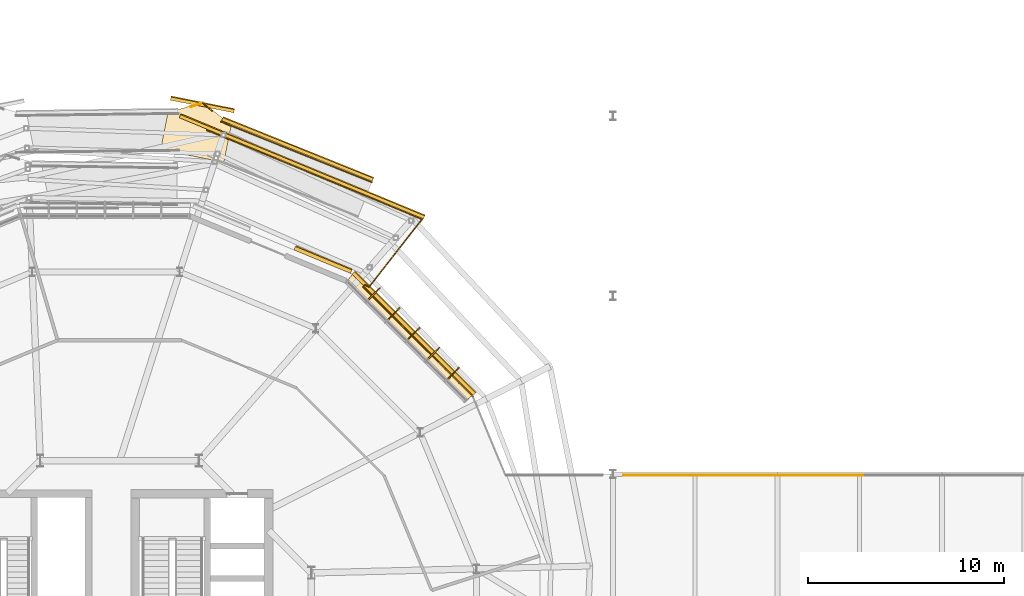
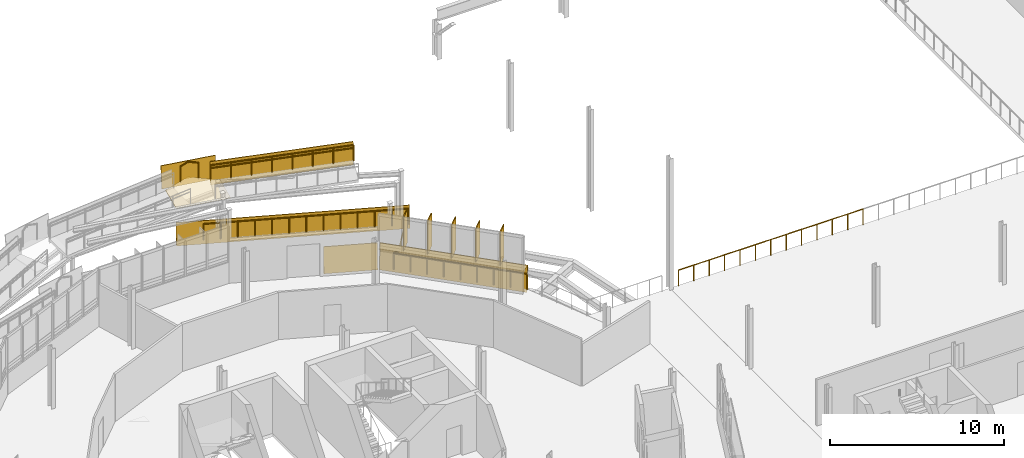
# One storey, part 105 of 107: 23 railings, 7 coverings, 5 shading devices.
"""IFC4 building model written with IfcOpenShell, lengths in metres."""

from ifc_helpers import new_model, si_unit, derived_unit, direction, frame, origin, origin_2d, place, context, subcontext, project, spatial, polyline, rectangle, circle, outline, extrude, material, layer, layer_set, type_object, element, save


model = new_model("IFC4")

# Units and contexts
model_context = context("Model", 3, precision=1e-05, world=origin(), true_north=direction((0.0, 1.0)))
body_context = subcontext(model_context, "Body", "Model", "MODEL_VIEW")
ifc_project = project(units=[si_unit("LENGTHUNIT", "METRE"), si_unit("AREAUNIT", "SQUARE_METRE"), si_unit("VOLUMEUNIT", "CUBIC_METRE"), si_unit("PLANEANGLEUNIT", "RADIAN"), si_unit("MASSUNIT", "GRAM", prefix="KILO"), derived_unit("THERMALTRANSMITTANCEUNIT", [(si_unit("MASSUNIT", "GRAM", prefix="KILO"), 1), (si_unit("TIMEUNIT", "SECOND"), -3), (si_unit("THERMODYNAMICTEMPERATUREUNIT", "KELVIN"), -1)])], contexts=[model_context])

# Site, building, storey
site_placement = place(None, origin())
site = spatial("IfcSite", under=ifc_project, at=site_placement, CompositionType="ELEMENT")
building_placement = place(site_placement, origin())
building = spatial("IfcBuilding", under=site, at=building_placement, Name="Makaiwela Harbour Ferry Terminal", CompositionType="ELEMENT")
storey_placement = place(building_placement, frame((0.0, 0.0, 9.60009765625)))
storey = spatial("IfcBuildingStorey", under=building, at=storey_placement, Name="L02", CompositionType="ELEMENT", Elevation=9.60009765625)

# Coverings
ifc_material_1 = material(Name="White glazed marine ceramic rainscreen tile", Category="masonry")
ifc_layer_1 = layer(ifc_material_1, 0.054931640625)
ifc_layer_set_1 = layer_set([ifc_layer_1], Name="White glazed marine ceramic rainscreen tile")
covering_type_1 = type_object("IfcCoveringType", Name="ENV-CLD-CERAMIC", PredefinedType="CLADDING", material=ifc_layer_set_1)
covering_1_placement = place(storey_placement, frame((55.85302734375, 80.720703125, -0.239990234375), z_axis=(-0.702885612922, -0.702885612922, 0.109103759309), x_axis=(-0.707106781187, 0.707106781187, 0.0)))
element("IfcCovering", 1, at=covering_1_placement, inside=storey, type_object=covering_type_1, Name="Ceramic Spandrel Facet CLD-0045", PredefinedType="CLADDING", context=body_context, shape_type="SweptSolid", body=[
    extrude(outline(polyline([(0.0, 0.0), (8.757351756843551, 0.0), (8.757524390335053, -1.7705794760187032), (-0.00017263349150062335, -1.7705794760187032), (0.0, 0.0)])), origin(), (0.0, 0.0, -1.0), 0.054931640625),
])
covering_2_placement = place(storey_placement, frame((0.0, 0.0, 1.47998046875)))
element("IfcCovering", 2, at=covering_2_placement, inside=storey, type_object=covering_type_1, Name="Ceramic Ring Sill Cap CLD-0046", PredefinedType="CLADDING", context=body_context, shape_type="SweptSolid", body=[
    extrude(outline(polyline([(55.98974609375, 80.857177734375), (49.797119140625, 87.0498046875), (49.40478515625, 86.54736328125), (55.4873046875, 80.46484375), (55.98974609375, 80.857177734375)])), origin(), (0.0, 0.0, 1.0), 0.054931640625),
])
covering_3_placement = place(storey_placement, frame((49.586669921875, 86.960205078125, -0.239990234375), z_axis=(-0.380362200041, -0.918378618021, 0.109111460173), x_axis=(-0.923894711699, 0.38264678451, 0.0)))
element("IfcCovering", 3, at=covering_3_placement, inside=storey, type_object=covering_type_1, Name="Ceramic Spandrel Facet CLD-0047", PredefinedType="CLADDING", context=body_context, shape_type="SweptSolid", body=[
    extrude(outline(polyline([(0.0, 0.0), (3.118696989782393, 0.0), (3.118641985346814, -1.7705809816240787), (-5.50044355785706e-05, -1.7705809816240787), (0.0, 0.0)])), origin(), (0.0, 0.0, -1.0), 0.054931640625),
])
covering_4_placement = place(storey_placement, frame((53.321044921875, 89.740478515625, -0.340087890625), z_axis=(-0.380364677417, -0.918270902569, 0.110005734713), x_axis=(-0.923878000465, 0.38268713103, -9.12741e-07)))
element("IfcCovering", 4, at=covering_4_placement, inside=storey, type_object=covering_type_1, Name="Coiled Ramp Ceramic Fascia CLD-R0002", PredefinedType="CLADDING", context=body_context, shape_type="SweptSolid", body=[
    extrude(outline(polyline([(0.0, 0.0), (13.509795308218653, 0.0), (13.509761672383586, -1.5293133374535297), (-0.0001270653104170853, -1.5292885248985002), (0.0, 0.0)])), origin(), (0.0, 0.0, -1.0), 0.054931640625),
])
covering_5_placement = place(storey_placement, frame((43.62841796875, 95.16162109375, 3.260009765625), z_axis=(-0.193910341386, -0.974846187239, 0.10988034733), x_axis=(-0.98078501504, 0.195091656081, 0.0)))
element("IfcCovering", 5, at=covering_5_placement, inside=storey, type_object=covering_type_1, Name="Coiled Ramp Ceramic Fascia CLD-R0048", PredefinedType="CLADDING", context=body_context, shape_type="SweptSolid", body=[
    extrude(outline(polyline([(0.0, 0.0), (3.299981357781899, 0.0), (3.300045243484791, -1.5290339633720902), (6.388570289143913e-05, -1.5290339633720902), (0.0, 0.0)])), origin(), (0.0, 0.0, -1.0), 0.054931640625),
])
covering_6_placement = place(storey_placement, frame((43.0068359375, 94.76171875, 3.260009765625), z_axis=(-0.378675669355, -0.918983121837, 0.109885209271), x_axis=(0.925182925762, -0.372607981028, 0.072109960151)))
element("IfcCovering", 6, at=covering_6_placement, inside=storey, type_object=covering_type_1, Name="Coiled Ramp Ceramic Fascia CLD-R0049", PredefinedType="CLADDING", context=body_context, shape_type="SweptSolid", body=[
    extrude(outline(polyline([(0.0, 0.0), (8.318443961917314, -1.1102230246251565e-16), (8.427973289051788, 1.525364660488158), (0.10960269090910148, 1.5250911508990836), (0.0, 0.0)])), origin(), (0.0, 0.0, -1.0), 0.054931640625),
])

# Shading devices
ifc_material_2 = material(Name="Thermally modified Accoya timber and anodised aluminium", Category="wood")
ifc_layer_2 = layer(ifc_material_2, 0.06005859375)
ifc_layer_set_2 = layer_set([ifc_layer_2], Name="Thermally modified Accoya timber and anodised aluminium")
shading_device_type = type_object("IfcShadingDeviceType", Name="ENV-FIN-850", PredefinedType="USERDEFINED", material=ifc_layer_set_2)
for number, where, z_axis, x_axis, name in (
    (7, (54.85400390625, 81.859130859375, 1.609375), (0.0, 0.0, 1.0), (0.707106781187, 0.707106781187, 0.0), "Vertical Solar Fin SFN-0041"),
    (8, (53.84033203125, 82.872802734375, 1.609375), (0.0, 0.0, 1.0), (0.707106781187, 0.707106781187, 0.0), "Vertical Solar Fin SFN-0042"),
    (9, (52.82666015625, 83.886474609375, 1.609375), (0.0, 0.0, 1.0), (0.707106781187, 0.707106781187, 0.0), "Vertical Solar Fin SFN-0043"),
    (10, (51.812744140625, 84.900390625, 1.609375), (0.0, 0.0, 1.0), (0.707106781187, 0.707106781187, 0.0), "Vertical Solar Fin SFN-0044"),
    (11, (50.799072265625, 85.9140625, 1.609375), (0.0, 0.0, 1.0), (0.707106781187, 0.707106781187, 0.0), "Vertical Solar Fin SFN-0045"),
):
    element("IfcShadingDevice", number, at=place(storey_placement, frame(where, z_axis=z_axis, x_axis=x_axis)), inside=storey, type_object=shading_device_type, Name=name, ObjectType="SOLAR FIN", PredefinedType="USERDEFINED", context=body_context, shape_type="SweptSolid", body=[
        extrude(rectangle(XDim=0.85009765625, YDim=0.06005859375, at=origin_2d()), origin(), (0.0, 0.0, 1.0), 2.320068359375),
    ])

# Covering
ifc_material_3 = material(Name="Honed coral-aggregate epoxy terrazzo flooring", Category="concrete")
ifc_layer_3 = layer(ifc_material_3, 0.02490234375)
ifc_layer_set_3 = layer_set([ifc_layer_3], Name="Honed coral-aggregate epoxy terrazzo flooring")
covering_type_2 = type_object("IfcCoveringType", Name="INT-COV-FLR", PredefinedType="FLOORING", material=ifc_layer_set_3)
covering_7_placement = place(storey_placement, frame((0.0, 0.0, 3.599853515625)))
element("IfcCovering", 12, at=covering_7_placement, inside=storey, type_object=covering_type_2, Name="Ramp Landing Terrazzo RMP-COIL-L02-LO3", PredefinedType="FLOORING", context=body_context, shape_type="SweptSolid", body=[
    extrude(outline(polyline([(43.12548828125, 92.634033203125), (43.502197265625, 94.52685546875), (42.0537109375, 95.7021484375), (40.265625, 95.170654296875), (39.888916015625, 93.27783203125), (43.12548828125, 92.634033203125)])), origin(), (0.0, 0.0, 1.0), 0.025146484375),
])

# Railings
ifc_material_4 = material(Name="Marine grade 316L brushed stainless steel", Category="steel")
railing_type_1 = type_object("IfcRailingType", Name="INT-RL-GRD110", PredefinedType="GUARDRAIL", material=ifc_material_4)
railing_1_placement = place(storey_placement, frame((42.985595703125, 94.708740234375, 3.599853515625)))
element("IfcRailing", 13, at=railing_1_placement, inside=storey, type_object=railing_type_1, Name="Ramp guardrail RL-0191", PredefinedType="GUARDRAIL", context=body_context, shape_type="SweptSolid", body=[
    extrude(circle(Radius=0.02392578125, at=origin_2d()), frame((0.0, 0.0, 1.09619140625), z_axis=(0.925182361308, -0.372602946412, 0.072143209317), x_axis=(0.37357638044, 0.927599422152, 0.0)), (0.0, 0.0, 1.0), 8.318115234375),
    extrude(circle(Radius=0.02099609375, at=origin_2d()), origin(), (0.0, 0.0, 1.0), 1.072021484375),
    extrude(circle(Radius=0.02099609375, at=origin_2d()), frame((1.099365234375, -0.44287109375, 0.085693359375)), (0.0, 0.0, 1.0), 1.072021484375),
    extrude(circle(Radius=0.02099609375, at=origin_2d()), frame((2.19873046875, -0.885498046875, 0.17138671875)), (0.0, 0.0, 1.0), 1.072021484375),
    extrude(circle(Radius=0.02099609375, at=origin_2d()), frame((3.298095703125, -1.328369140625, 0.257080078125)), (0.0, 0.0, 1.0), 1.072021484375),
    extrude(circle(Radius=0.02099609375, at=origin_2d()), frame((4.397705078125, -1.77099609375, 0.343017578125)), (0.0, 0.0, 1.0), 1.072021484375),
    extrude(circle(Radius=0.02099609375, at=origin_2d()), frame((5.4970703125, -2.2138671875, 0.4287109375)), (0.0, 0.0, 1.0), 1.072021484375),
    extrude(circle(Radius=0.02099609375, at=origin_2d()), frame((6.596435546875, -2.656494140625, 0.514404296875)), (0.0, 0.0, 1.0), 1.072021484375),
    extrude(circle(Radius=0.02099609375, at=origin_2d()), frame((7.69580078125, -3.099365234375, 0.60009765625)), (0.0, 0.0, 1.0), 1.072021484375),
])
railing_2_placement = place(storey_placement, frame((42.2685546875, 94.273193359375, 0.0)))
element("IfcRailing", 14, at=railing_2_placement, inside=storey, type_object=railing_type_1, Name="Deck edge guardrail RL-0468", PredefinedType="GUARDRAIL", context=body_context, shape_type="SweptSolid", body=[
    extrude(circle(Radius=0.02392578125, at=origin_2d()), frame((0.0, 0.0, 1.09619140625), z_axis=(0.923895176824, -0.38264566147, 0.0), x_axis=(0.38264566147, 0.923895176824, 0.0)), (0.0, 0.0, 1.0), 1.981201171875),
    extrude(circle(Radius=0.02099609375, at=origin_2d()), origin(), (0.0, 0.0, 1.0), 1.072021484375),
    extrude(circle(Radius=0.02099609375, at=origin_2d()), frame((0.9150390625, -0.37890625, 0.0)), (0.0, 0.0, 1.0), 1.072021484375),
    extrude(circle(Radius=0.02099609375, at=origin_2d()), frame((1.830322265625, -0.758056640625, 0.0)), (0.0, 0.0, 1.0), 1.072021484375),
])
railing_3_placement = place(storey_placement, frame((44.098876953125, 93.51513671875, 0.0)))
element("IfcRailing", 15, at=railing_3_placement, inside=storey, type_object=railing_type_1, Name="Deck edge guardrail RL-0469", PredefinedType="GUARDRAIL", context=body_context, shape_type="SweptSolid", body=[
    extrude(circle(Radius=0.02392578125, at=origin_2d()), frame((0.0, 0.0, 1.09619140625), z_axis=(0.923851606189, -0.382750845515, 0.0), x_axis=(0.382750845515, 0.923851606189, 0.0)), (0.0, 0.0, 1.0), 1.981201171875),
    extrude(circle(Radius=0.02099609375, at=origin_2d()), origin(), (0.0, 0.0, 1.0), 1.072021484375),
    extrude(circle(Radius=0.02099609375, at=origin_2d()), frame((0.9150390625, -0.379150390625, 0.0)), (0.0, 0.0, 1.0), 1.072021484375),
    extrude(circle(Radius=0.02099609375, at=origin_2d()), frame((1.830322265625, -0.75830078125, 0.0)), (0.0, 0.0, 1.0), 1.072021484375),
])
railing_4_placement = place(storey_placement, frame((45.92919921875, 92.7568359375, 0.0)))
element("IfcRailing", 16, at=railing_4_placement, inside=storey, type_object=railing_type_1, Name="Deck edge guardrail RL-0470", PredefinedType="GUARDRAIL", context=body_context, shape_type="SweptSolid", body=[
    extrude(circle(Radius=0.02392578125, at=origin_2d()), frame((0.0, 0.0, 1.09619140625), z_axis=(0.923895176824, -0.38264566147, 0.0), x_axis=(0.38264566147, 0.923895176824, 0.0)), (0.0, 0.0, 1.0), 1.981201171875),
    extrude(circle(Radius=0.02099609375, at=origin_2d()), origin(), (0.0, 0.0, 1.0), 1.072021484375),
    extrude(circle(Radius=0.02099609375, at=origin_2d()), frame((0.9150390625, -0.37890625, 0.0)), (0.0, 0.0, 1.0), 1.072021484375),
    extrude(circle(Radius=0.02099609375, at=origin_2d()), frame((1.830322265625, -0.758056640625, 0.0)), (0.0, 0.0, 1.0), 1.072021484375),
])
railing_5_placement = place(storey_placement, frame((47.759521484375, 91.998779296875, 0.0)))
element("IfcRailing", 17, at=railing_5_placement, inside=storey, type_object=railing_type_1, Name="Deck edge guardrail RL-0471", PredefinedType="GUARDRAIL", context=body_context, shape_type="SweptSolid", body=[
    extrude(circle(Radius=0.02392578125, at=origin_2d()), frame((0.0, 0.0, 1.09619140625), z_axis=(0.92387712991, -0.382689232707, 0.0), x_axis=(0.382689232707, 0.92387712991, 0.0)), (0.0, 0.0, 1.0), 1.98095703125),
    extrude(circle(Radius=0.02099609375, at=origin_2d()), origin(), (0.0, 0.0, 1.0), 1.072021484375),
    extrude(circle(Radius=0.02099609375, at=origin_2d()), frame((0.9150390625, -0.37890625, 0.0)), (0.0, 0.0, 1.0), 1.072021484375),
    extrude(circle(Radius=0.02099609375, at=origin_2d()), frame((1.830078125, -0.758056640625, 0.0)), (0.0, 0.0, 1.0), 1.072021484375),
])
railing_6_placement = place(storey_placement, frame((49.589599609375, 91.24072265625, 0.0)))
element("IfcRailing", 18, at=railing_6_placement, inside=storey, type_object=railing_type_1, Name="Deck edge guardrail RL-0472", PredefinedType="GUARDRAIL", context=body_context, shape_type="SweptSolid", body=[
    extrude(circle(Radius=0.02392578125, at=origin_2d()), frame((0.0, 0.0, 1.09619140625), z_axis=(0.923851606189, -0.382750845515, 0.0), x_axis=(0.382750845515, 0.923851606189, 0.0)), (0.0, 0.0, 1.0), 1.981201171875),
    extrude(circle(Radius=0.02099609375, at=origin_2d()), origin(), (0.0, 0.0, 1.0), 1.072021484375),
    extrude(circle(Radius=0.02099609375, at=origin_2d()), frame((0.9150390625, -0.379150390625, 0.0)), (0.0, 0.0, 1.0), 1.072021484375),
    extrude(circle(Radius=0.02099609375, at=origin_2d()), frame((1.830322265625, -0.75830078125, 0.0)), (0.0, 0.0, 1.0), 1.072021484375),
])
railing_7_placement = place(storey_placement, frame((51.419921875, 90.482421875, 0.0)))
element("IfcRailing", 19, at=railing_7_placement, inside=storey, type_object=railing_type_1, Name="Deck edge guardrail RL-0473", PredefinedType="GUARDRAIL", context=body_context, shape_type="SweptSolid", body=[
    extrude(circle(Radius=0.02392578125, at=origin_2d()), frame((0.0, 0.0, 1.09619140625), z_axis=(0.923895176824, -0.38264566147, 0.0), x_axis=(0.38264566147, 0.923895176824, 0.0)), (0.0, 0.0, 1.0), 1.981201171875),
    extrude(circle(Radius=0.02099609375, at=origin_2d()), origin(), (0.0, 0.0, 1.0), 1.072021484375),
    extrude(circle(Radius=0.02099609375, at=origin_2d()), frame((0.9150390625, -0.37890625, 0.0)), (0.0, 0.0, 1.0), 1.072021484375),
    extrude(circle(Radius=0.02099609375, at=origin_2d()), frame((1.830322265625, -0.758056640625, 0.0)), (0.0, 0.0, 1.0), 1.072021484375),
])
railing_8_placement = place(storey_placement, frame((53.250244140625, 89.724365234375, 0.0)))
element("IfcRailing", 20, at=railing_8_placement, inside=storey, type_object=railing_type_1, Name="Deck edge guardrail RL-0474", PredefinedType="GUARDRAIL", context=body_context, shape_type="SweptSolid", body=[
    extrude(circle(Radius=0.02392578125, at=origin_2d()), frame((0.0, 0.0, 1.09619140625), z_axis=(-0.6172953431, -0.786731504001, 0.0), x_axis=(0.786731504001, -0.6172953431, 0.0)), (0.0, 0.0, 1.0), 2.193115234375),
    extrude(circle(Radius=0.02099609375, at=origin_2d()), origin(), (0.0, 0.0, 1.0), 1.072021484375),
    extrude(circle(Radius=0.02099609375, at=origin_2d()), frame((-0.6767578125, -0.86279296875, 0.0)), (0.0, 0.0, 1.0), 1.072021484375),
    extrude(circle(Radius=0.02099609375, at=origin_2d()), frame((-1.353759765625, -1.725341796875, 0.0)), (0.0, 0.0, 1.0), 1.072021484375),
])
railing_9_placement = place(storey_placement, frame((51.896484375, 87.9990234375, 0.0)))
element("IfcRailing", 21, at=railing_9_placement, inside=storey, type_object=railing_type_1, Name="Deck edge guardrail RL-0475", PredefinedType="GUARDRAIL", context=body_context, shape_type="SweptSolid", body=[
    extrude(circle(Radius=0.02392578125, at=origin_2d()), frame((0.0, 0.0, 1.09619140625), z_axis=(-0.617226431981, -0.786785569049, 0.0), x_axis=(0.786785569049, -0.617226431981, 0.0)), (0.0, 0.0, 1.0), 2.19287109375),
    extrude(circle(Radius=0.02099609375, at=origin_2d()), origin(), (0.0, 0.0, 1.0), 1.072021484375),
    extrude(circle(Radius=0.02099609375, at=origin_2d()), frame((-0.6767578125, -0.86279296875, 0.0)), (0.0, 0.0, 1.0), 1.072021484375),
    extrude(circle(Radius=0.02099609375, at=origin_2d()), frame((-1.353515625, -1.725341796875, 0.0)), (0.0, 0.0, 1.0), 1.072021484375),
])
railing_10_placement = place(storey_placement, frame((50.54296875, 86.273681640625, 0.0)))
element("IfcRailing", 22, at=railing_10_placement, inside=storey, type_object=railing_type_1, Name="Deck edge guardrail RL-0476", PredefinedType="GUARDRAIL", context=body_context, shape_type="SweptSolid", body=[
    extrude(circle(Radius=0.02392578125, at=origin_2d()), frame((0.0, 0.0, 1.09619140625), z_axis=(-0.922526443647, 0.385933881347, 0.0), x_axis=(-0.385933881347, -0.922526443647, 0.0)), (0.0, 0.0, 1.0), 0.236572265625),
    extrude(circle(Radius=0.02099609375, at=origin_2d()), origin(), (0.0, 0.0, 1.0), 1.072021484375),
    extrude(circle(Radius=0.02099609375, at=origin_2d()), frame((-0.21826171875, 0.09130859375, 0.0)), (0.0, 0.0, 1.0), 1.072021484375),
])
railing_11_placement = place(storey_placement, frame((50.246826171875, 86.26708984375, 0.0)))
element("IfcRailing", 23, at=railing_11_placement, inside=storey, type_object=railing_type_1, Name="Deck edge guardrail RL-0477", PredefinedType="GUARDRAIL", context=body_context, shape_type="SweptSolid", body=[
    extrude(circle(Radius=0.02392578125, at=origin_2d()), frame((0.0, 0.0, 1.09619140625), z_axis=(0.707045103244, -0.70716845375, 0.0), x_axis=(0.70716845375, 0.707045103244, 0.0)), (0.0, 0.0, 1.0), 1.979248046875),
    extrude(circle(Radius=0.02099609375, at=origin_2d()), origin(), (0.0, 0.0, 1.0), 1.072021484375),
    extrude(circle(Radius=0.02099609375, at=origin_2d()), frame((0.69970703125, -0.69970703125, 0.0)), (0.0, 0.0, 1.0), 1.072021484375),
    extrude(circle(Radius=0.02099609375, at=origin_2d()), frame((1.3994140625, -1.399658203125, 0.0)), (0.0, 0.0, 1.0), 1.072021484375),
])
railing_12_placement = place(storey_placement, frame((51.646240234375, 84.867431640625, 0.0)))
element("IfcRailing", 24, at=railing_12_placement, inside=storey, type_object=railing_type_1, Name="Deck edge guardrail RL-0478", PredefinedType="GUARDRAIL", context=body_context, shape_type="SweptSolid", body=[
    extrude(circle(Radius=0.02392578125, at=origin_2d()), frame((0.0, 0.0, 1.09619140625), z_axis=(0.707106781187, -0.707106781187, 0.0), x_axis=(0.707106781187, 0.707106781187, 0.0)), (0.0, 0.0, 1.0), 1.9794921875),
    extrude(circle(Radius=0.02099609375, at=origin_2d()), origin(), (0.0, 0.0, 1.0), 1.072021484375),
    extrude(circle(Radius=0.02099609375, at=origin_2d()), frame((0.69970703125, -0.69970703125, 0.0)), (0.0, 0.0, 1.0), 1.072021484375),
    extrude(circle(Radius=0.02099609375, at=origin_2d()), frame((1.399658203125, -1.399658203125, 0.0)), (0.0, 0.0, 1.0), 1.072021484375),
])
railing_13_placement = place(storey_placement, frame((53.0458984375, 83.4677734375, 0.0)))
element("IfcRailing", 25, at=railing_13_placement, inside=storey, type_object=railing_type_1, Name="Deck edge guardrail RL-0479", PredefinedType="GUARDRAIL", context=body_context, shape_type="SweptSolid", body=[
    extrude(circle(Radius=0.02392578125, at=origin_2d()), frame((0.0, 0.0, 1.09619140625), z_axis=(0.707045103244, -0.70716845375, 0.0), x_axis=(0.70716845375, 0.707045103244, 0.0)), (0.0, 0.0, 1.0), 1.979248046875),
    extrude(circle(Radius=0.02099609375, at=origin_2d()), origin(), (0.0, 0.0, 1.0), 1.072021484375),
    extrude(circle(Radius=0.02099609375, at=origin_2d()), frame((0.69970703125, -0.69970703125, 0.0)), (0.0, 0.0, 1.0), 1.072021484375),
    extrude(circle(Radius=0.02099609375, at=origin_2d()), frame((1.3994140625, -1.399658203125, 0.0)), (0.0, 0.0, 1.0), 1.072021484375),
])
railing_14_placement = place(storey_placement, frame((54.4453125, 82.068115234375, 0.0)))
element("IfcRailing", 26, at=railing_14_placement, inside=storey, type_object=railing_type_1, Name="Deck edge guardrail RL-0480", PredefinedType="GUARDRAIL", context=body_context, shape_type="SweptSolid", body=[
    extrude(circle(Radius=0.02392578125, at=origin_2d()), frame((0.0, 0.0, 1.09619140625), z_axis=(0.706983430682, -0.707230110177, 0.0), x_axis=(0.707230110177, 0.706983430682, 0.0)), (0.0, 0.0, 1.0), 1.9794921875),
    extrude(circle(Radius=0.02099609375, at=origin_2d()), origin(), (0.0, 0.0, 1.0), 1.072021484375),
    extrude(circle(Radius=0.02099609375, at=origin_2d()), frame((0.69970703125, -0.699951171875, 0.0)), (0.0, 0.0, 1.0), 1.072021484375),
    extrude(circle(Radius=0.02099609375, at=origin_2d()), frame((1.3994140625, -1.39990234375, 0.0)), (0.0, 0.0, 1.0), 1.072021484375),
])
railing_15_placement = place(storey_placement, frame((63.5478515625, 76.655029296875, 0.0)))
element("IfcRailing", 27, at=railing_15_placement, inside=storey, type_object=railing_type_1, Name="Deck edge guardrail RL-0486", PredefinedType="GUARDRAIL", context=body_context, shape_type="SweptSolid", body=[
    extrude(circle(Radius=0.02392578125, at=origin_2d()), frame((0.0, 0.0, 1.09619140625), z_axis=(1.0, 0.0, 0.0), x_axis=(0.0, 1.0, 0.0)), (0.0, 0.0, 1.0), 2.03759765625),
    extrude(circle(Radius=0.02099609375, at=origin_2d()), origin(), (0.0, 0.0, 1.0), 1.072021484375),
    extrude(circle(Radius=0.02099609375, at=origin_2d()), frame((1.018798828125, 0.0, 0.0)), (0.0, 0.0, 1.0), 1.072021484375),
    extrude(circle(Radius=0.02099609375, at=origin_2d()), frame((2.03759765625, 0.0, 0.0)), (0.0, 0.0, 1.0), 1.072021484375),
])
railing_16_placement = place(storey_placement, frame((65.58544921875, 76.655029296875, 0.0)))
element("IfcRailing", 28, at=railing_16_placement, inside=storey, type_object=railing_type_1, Name="Deck edge guardrail RL-0487", PredefinedType="GUARDRAIL", context=body_context, shape_type="SweptSolid", body=[
    extrude(circle(Radius=0.02392578125, at=origin_2d()), frame((0.0, 0.0, 1.09619140625), z_axis=(1.0, 0.0, 0.0), x_axis=(0.0, 1.0, 0.0)), (0.0, 0.0, 1.0), 2.037841796875),
    extrude(circle(Radius=0.02099609375, at=origin_2d()), origin(), (0.0, 0.0, 1.0), 1.072021484375),
    extrude(circle(Radius=0.02099609375, at=origin_2d()), frame((1.01904296875, 0.0, 0.0)), (0.0, 0.0, 1.0), 1.072021484375),
    extrude(circle(Radius=0.02099609375, at=origin_2d()), frame((2.037841796875, 0.0, 0.0)), (0.0, 0.0, 1.0), 1.072021484375),
])
for number, where, name in (
    (29, (67.623291015625, 76.655029296875, 0.0), "Deck edge guardrail RL-0488"),
    (30, (69.660888671875, 76.655029296875, 0.0), "Deck edge guardrail RL-0489"),
    (31, (71.698486328125, 76.655029296875, 0.0), "Deck edge guardrail RL-0490"),
):
    element("IfcRailing", number, at=place(storey_placement, frame(where)), inside=storey, type_object=railing_type_1, Name=name, PredefinedType="GUARDRAIL", context=body_context, shape_type="SweptSolid", body=[
        extrude(circle(Radius=0.02392578125, at=origin_2d()), frame((0.0, 0.0, 1.09619140625), z_axis=(1.0, 0.0, 0.0), x_axis=(0.0, 1.0, 0.0)), (0.0, 0.0, 1.0), 2.03759765625),
        extrude(circle(Radius=0.02099609375, at=origin_2d()), origin(), (0.0, 0.0, 1.0), 1.072021484375),
        extrude(circle(Radius=0.02099609375, at=origin_2d()), frame((1.018798828125, 0.0, 0.0)), (0.0, 0.0, 1.0), 1.072021484375),
        extrude(circle(Radius=0.02099609375, at=origin_2d()), frame((2.03759765625, 0.0, 0.0)), (0.0, 0.0, 1.0), 1.072021484375),
    ])
railing_17_placement = place(storey_placement, frame((73.736083984375, 76.655029296875, 0.0)))
element("IfcRailing", 32, at=railing_17_placement, inside=storey, type_object=railing_type_1, Name="Deck edge guardrail RL-0491", PredefinedType="GUARDRAIL", context=body_context, shape_type="SweptSolid", body=[
    extrude(circle(Radius=0.02392578125, at=origin_2d()), frame((0.0, 0.0, 1.09619140625), z_axis=(1.0, 0.0, 0.0), x_axis=(0.0, 1.0, 0.0)), (0.0, 0.0, 1.0), 2.037841796875),
    extrude(circle(Radius=0.02099609375, at=origin_2d()), origin(), (0.0, 0.0, 1.0), 1.072021484375),
    extrude(circle(Radius=0.02099609375, at=origin_2d()), frame((1.01904296875, 0.0, 0.0)), (0.0, 0.0, 1.0), 1.072021484375),
    extrude(circle(Radius=0.02099609375, at=origin_2d()), frame((2.037841796875, 0.0, 0.0)), (0.0, 0.0, 1.0), 1.072021484375),
])
railing_18_placement = place(storey_placement, frame((41.435302734375, 95.471435546875, 3.599853515625)))
element("IfcRailing", 33, at=railing_18_placement, inside=storey, type_object=railing_type_1, Name="Deck edge guardrail RL-0631", PredefinedType="GUARDRAIL", context=body_context, shape_type="SweptSolid", body=[
    extrude(circle(Radius=0.02392578125, at=origin_2d()), frame((0.0, 0.0, 1.09619140625), z_axis=(0.958627185399, 0.284664573513, 0.0), x_axis=(-0.284664573513, 0.958627185399, 0.0)), (0.0, 0.0, 1.0), 0.634765625),
    extrude(circle(Radius=0.02099609375, at=origin_2d()), origin(), (0.0, 0.0, 1.0), 1.072021484375),
    extrude(circle(Radius=0.02099609375, at=origin_2d()), frame((0.6083984375, 0.1806640625, 0.0)), (0.0, 0.0, 1.0), 1.072021484375),
])
railing_19_placement = place(storey_placement, frame((42.043701171875, 95.652099609375, 3.599853515625)))
element("IfcRailing", 34, at=railing_19_placement, inside=storey, type_object=railing_type_1, Name="Deck edge guardrail RL-0632", PredefinedType="GUARDRAIL", context=body_context, shape_type="SweptSolid", body=[
    extrude(circle(Radius=0.02392578125, at=origin_2d()), frame((0.0, 0.0, 1.09619140625), z_axis=(0.776718403627, -0.629848014577, 0.0), x_axis=(0.629848014577, 0.776718403627, 0.0)), (0.0, 0.0, 1.0), 0.60498046875),
    extrude(circle(Radius=0.02099609375, at=origin_2d()), origin(), (0.0, 0.0, 1.0), 1.072021484375),
    extrude(circle(Radius=0.02099609375, at=origin_2d()), frame((0.469970703125, -0.381103515625, 0.0)), (0.0, 0.0, 1.0), 1.072021484375),
])
railing_type_2 = type_object("IfcRailingType", Name="INT-RL-HND090", PredefinedType="HANDRAIL", material=ifc_material_4)
railing_20_placement = place(storey_placement, frame((42.985595703125, 94.708740234375, 3.599853515625)))
element("IfcRailing", 35, at=railing_20_placement, inside=storey, type_object=railing_type_2, Name="Ramp handrail RL-0192", PredefinedType="HANDRAIL", context=body_context, shape_type="SweptSolid", body=[
    extrude(circle(Radius=0.02392578125, at=origin_2d()), frame((0.0, 0.0, 0.89111328125), z_axis=(0.925182361308, -0.372602946412, 0.072143209317), x_axis=(0.37357638044, 0.927599422152, 0.0)), (0.0, 0.0, 1.0), 8.318115234375),
    extrude(circle(Radius=0.02099609375, at=origin_2d()), origin(), (0.0, 0.0, 1.0), 0.866943359375),
    extrude(circle(Radius=0.02099609375, at=origin_2d()), frame((1.099365234375, -0.44287109375, 0.085693359375)), (0.0, 0.0, 1.0), 0.866943359375),
    extrude(circle(Radius=0.02099609375, at=origin_2d()), frame((2.19873046875, -0.885498046875, 0.17138671875)), (0.0, 0.0, 1.0), 0.866943359375),
    extrude(circle(Radius=0.02099609375, at=origin_2d()), frame((3.298095703125, -1.328369140625, 0.257080078125)), (0.0, 0.0, 1.0), 0.866943359375),
    extrude(circle(Radius=0.02099609375, at=origin_2d()), frame((4.397705078125, -1.77099609375, 0.343017578125)), (0.0, 0.0, 1.0), 0.866943359375),
    extrude(circle(Radius=0.02099609375, at=origin_2d()), frame((5.4970703125, -2.2138671875, 0.4287109375)), (0.0, 0.0, 1.0), 0.866943359375),
    extrude(circle(Radius=0.02099609375, at=origin_2d()), frame((6.596435546875, -2.656494140625, 0.514404296875)), (0.0, 0.0, 1.0), 0.866943359375),
    extrude(circle(Radius=0.02099609375, at=origin_2d()), frame((7.69580078125, -3.099365234375, 0.60009765625)), (0.0, 0.0, 1.0), 0.866943359375),
])

save(model, "model.ifc")
